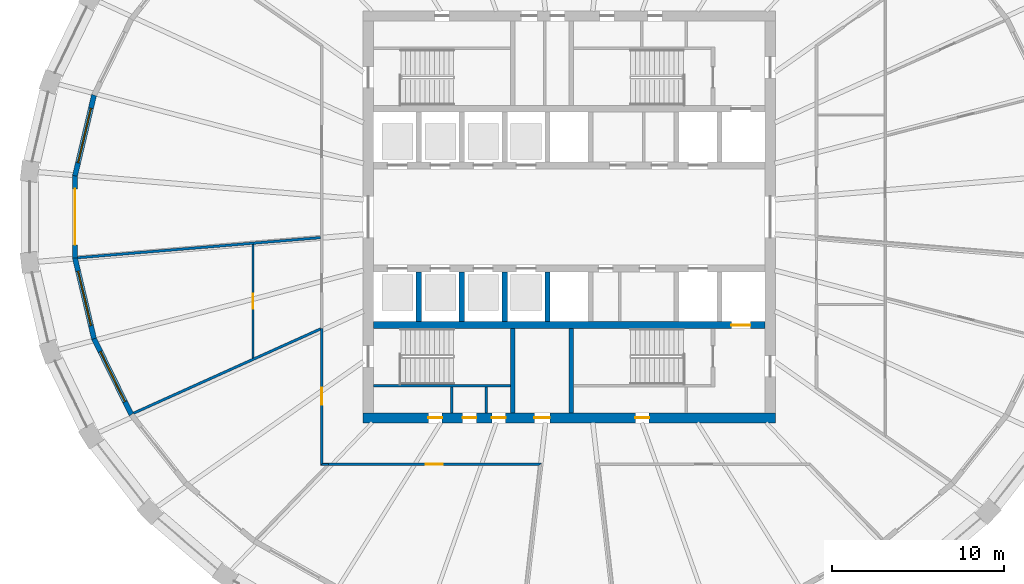
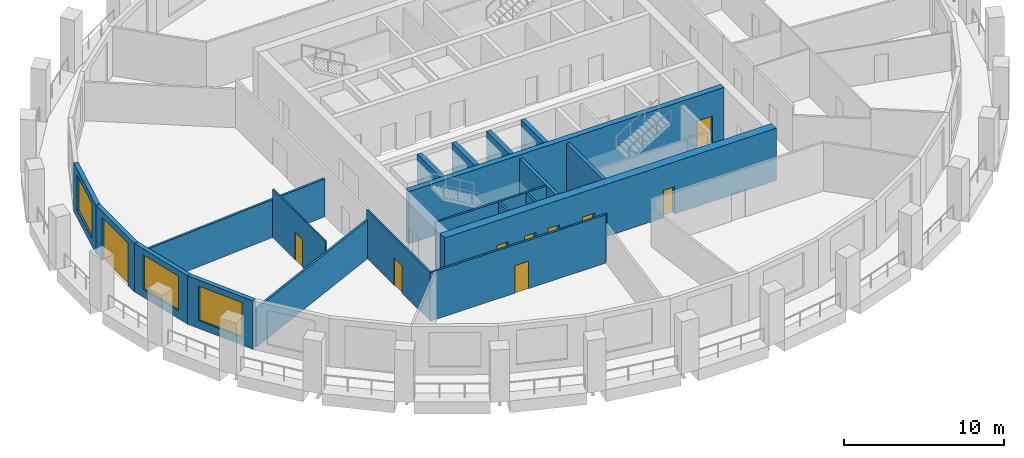
# One storey, part 3 of 11: 21 walls, 10 doors, 3 windows, 13 openings.
"""IFC4 building model written with IfcOpenShell, lengths in metres."""

from ifc_helpers import new_model, si_unit, direction, frame, frame_2d, origin, place, context, subcontext, project, spatial, polyline, rectangle, outline, extrude, material, layer, layer_set, type_object, element, fill, save


model = new_model("IFC4")

# Units and contexts
model_context = context("Model", 3, precision=1e-05, world=origin(), true_north=direction((0.0, 1.0)))
body_context = subcontext(model_context, "Body", "Model", "MODEL_VIEW")
ifc_project = project(units=[si_unit("LENGTHUNIT", "METRE"), si_unit("AREAUNIT", "SQUARE_METRE"), si_unit("VOLUMEUNIT", "CUBIC_METRE"), si_unit("PLANEANGLEUNIT", "RADIAN"), si_unit("MASSUNIT", "GRAM", prefix="KILO")], contexts=[model_context])

# Site, building, storey
site_placement = place(None, origin())
site = spatial("IfcSite", under=ifc_project, at=site_placement, CompositionType="ELEMENT")
building_placement = place(site_placement, origin())
building = spatial("IfcBuilding", under=site, at=building_placement, Name="Halqa Exchange Tower", CompositionType="ELEMENT")
storey_placement = place(building_placement, frame((0.0, 0.0, 226.89990234375)))
storey = spatial("IfcBuildingStorey", under=building, at=storey_placement, Name="L52", CompositionType="ELEMENT", Elevation=226.89990234375)

# Walls
ifc_material_1 = material(Name="Fire-rated gypsum board")
ifc_layer_1 = layer(ifc_material_1, 0.14990234375)
ifc_layer_set_1 = layer_set([ifc_layer_1], Name="Fire-rated gypsum board")
wall_type_1 = type_object("IfcWallType", Name="Fire partition EI 60 150", PredefinedType="PARTITIONING", material=ifc_layer_set_1)
wall_1_placement = place(storey_placement, frame((-28.607666015625, -2.375, 0.0), z_axis=(0.0, 0.0, 1.0), x_axis=(0.996598135394, 0.082414540768, 0.0)))
element("IfcWall", 1, at=wall_1_placement, inside=storey, type_object=wall_type_1, Name="L52-PWL-001", PredefinedType="PARTITIONING", context=body_context, shape_type="SweptSolid", body=[
    extrude(outline(polyline([(0.004638671875, -0.074951171875), (1.701416015625, -0.074951171875), (3.3984375, -0.074951171875), (5.095458984375, -0.074951171875), (6.792236328125, -0.074951171875), (8.4892578125, -0.074951171875), (10.18603515625, -0.074951171875), (10.186279296875, -0.07470703125), (10.188720703125, -0.074951171875), (12.181640625, -0.074951171875), (14.1748046875, -0.074951171875), (14.186767578125, 0.07080078125), (14.186767578125, 0.074951171875), (12.413330078125, 0.074951171875), (10.64013671875, 0.074951171875), (8.86669921875, 0.074951171875), (7.09326171875, 0.074951171875), (5.320068359375, 0.074951171875), (3.546630859375, 0.074951171875), (1.7734375, 0.074951171875), (0.0, 0.074951171875), (0.0, -0.04443359375), (0.004638671875, -0.074951171875)])), origin(), (0.0, 0.0, 1.0), 2.900146484375),
])
wall_2_placement = place(storey_placement, frame((-25.360107421875, -11.428466796875, 0.0), z_axis=(0.0, 0.0, 1.0), x_axis=(0.911719171836, 0.410814011089, 0.0)))
element("IfcWall", 2, at=wall_2_placement, inside=storey, type_object=wall_type_1, Name="L52-PWL-002", PredefinedType="PARTITIONING", context=body_context, shape_type="SweptSolid", body=[
    extrude(outline(polyline([(0.0205078125, -0.074951171875), (2.004150390625, -0.074951171875), (3.98779296875, -0.074951171875), (5.97119140625, -0.074951171875), (7.954833984375, -0.074951171875), (9.938232421875, -0.074951171875), (11.921875, -0.074951171875), (11.966552734375, 0.024658203125), (11.952880859375, 0.03076171875), (11.972412109375, 0.073974609375), (11.972412109375, 0.074951171875), (10.555908203125, 0.074951171875), (9.13916015625, 0.074951171875), (7.72265625, 0.074951171875), (7.7216796875, 0.07275390625), (7.716796875, 0.074951171875), (5.78759765625, 0.074951171875), (3.8583984375, 0.074951171875), (1.92919921875, 0.074951171875), (0.0, 0.074951171875), (0.0, 0.062744140625), (0.002197265625, -0.001708984375), (0.0205078125, -0.074951171875)])), origin(), (0.0, 0.0, 1.0), 2.947021484375),
])

# Wall, opening, door
wall_3_placement = place(storey_placement, frame((-1.595703125, -14.39990234375, 0.0), z_axis=(0.0, 0.0, 1.0), x_axis=(-1.0, 0.0, 0.0)))
wall_3 = element("IfcWall", 3, at=wall_3_placement, inside=storey, type_object=wall_type_1, Name="L52-PWL-012", PredefinedType="PARTITIONING", context=body_context, shape_type="SweptSolid", body=[
    extrude(outline(polyline([(12.414306640625, 0.074951171875), (10.664794921875, 0.074951171875), (8.91552734375, 0.074951171875), (7.166015625, 0.074951171875), (5.416748046875, 0.074951171875), (3.667236328125, 0.074951171875), (1.917724609375, 0.074951171875), (0.16845703125, 0.074951171875), (0.0, -0.074951171875), (0.0, -0.074951171875), (1.7734375, -0.074951171875), (3.546875, -0.074951171875), (5.3203125, -0.074951171875), (7.093994140625, -0.074951171875), (8.867431640625, -0.074951171875), (10.640869140625, -0.074951171875), (12.414306640625, -0.074951171875), (12.414306640625, 0.074951171875)])), origin(), (0.0, 0.0, 1.0), 3.7001953125),
])
opening_1_placement = place(wall_3_placement, frame((5.749267578125, 0.0, 0.0)))
opening_1 = element("IfcOpeningElement", 4, at=opening_1_placement, cuts=wall_3, Name="Opening 16-05", PredefinedType="OPENING", context=body_context, shape_type="SweptSolid", body=[
    extrude(rectangle(XDim=1.0, YDim=2.10009765625, at=frame_2d((0.5, 1.050048828125))), frame((0.0, 0.0869140625, 0.0), z_axis=(0.0, -1.0, 0.0), x_axis=(1.0, 0.0, 0.0)), (0.0, 0.0, 1.0), 0.173828125),
])
ifc_material_2 = material(Name="Steel fire door leaf", Category="steel")
door_type_1 = type_object("IfcDoorType", Name="Fire door FD30S 1000 x 2100", OperationType="SINGLE_SWING_LEFT", PredefinedType="DOOR", material=ifc_material_2)
door_1_placement = place(opening_1_placement, origin())
door_1 = element("IfcDoor", 5, at=door_1_placement, inside=storey, type_object=door_type_1, Name="L52-IDR-005", OperationType="SINGLE_SWING_LEFT", OverallHeight=2.10009765625, OverallWidth=1.0, PredefinedType="DOOR", context=body_context, shape_type="SweptSolid", body=[
    extrude(rectangle(XDim=1.0, YDim=2.10009765625, at=frame_2d((0.5, 1.050048828125))), frame((0.0, 0.02490234375, 0.0), z_axis=(0.0, -1.0, 0.0), x_axis=(1.0, 0.0, 0.0)), (0.0, 0.0, 1.0), 0.050048828125),
])
fill(opening_1, door_1)

ifc_material_3 = material(Name="Fire-rated glazing", Category="glass")
ifc_layer_2 = layer(ifc_material_3, 0.1201171875)
ifc_layer_set_2 = layer_set([ifc_layer_2], Name="Fire-rated glazing")
wall_type_2 = type_object("IfcWallType", Name="Glazed fire partition EI 60 120", PredefinedType="PARTITIONING", material=ifc_layer_set_2)
wall_4_placement = place(storey_placement, frame((-14.39990234375, -14.4599609375, 0.0), z_axis=(0.0, 0.0, 1.0), x_axis=(0.0, 1.0, 0.0)))
wall_4 = element("IfcWall", 6, at=wall_4_placement, inside=storey, type_object=wall_type_2, Name="L52-PWL-005", PredefinedType="PARTITIONING", context=body_context, shape_type="SweptSolid", body=[
    extrude(outline(polyline([(7.969970703125, 0.06005859375), (5.9775390625, 0.06005859375), (3.98486328125, 0.06005859375), (1.992431640625, 0.06005859375), (0.0, 0.06005859375), (0.1201171875, -0.06005859375), (2.08251953125, -0.06005859375), (4.044921875, -0.06005859375), (6.007568359375, -0.06005859375), (7.969970703125, -0.06005859375), (7.969970703125, 0.06005859375)])), origin(), (0.0, 0.0, 1.0), 3.7001953125),
])
opening_2_placement = place(wall_4_placement, frame((3.514892578125, 0.0, 0.0)))
opening_2 = element("IfcOpeningElement", 7, at=opening_2_placement, cuts=wall_4, Name="Opening 16-04", PredefinedType="OPENING", context=body_context, shape_type="SweptSolid", body=[
    extrude(rectangle(XDim=1.0, YDim=2.10009765625, at=frame_2d((0.5, 1.050048828125))), frame((0.0, 0.072021484375, 0.0), z_axis=(0.0, -1.0, 0.0), x_axis=(1.0, 0.0, 0.0)), (0.0, 0.0, 1.0), 0.14404296875),
])
door_2_placement = place(opening_2_placement, origin())
door_2 = element("IfcDoor", 8, at=door_2_placement, inside=storey, type_object=door_type_1, Name="L52-IDR-004", OperationType="SINGLE_SWING_LEFT", OverallHeight=2.10009765625, OverallWidth=1.0, PredefinedType="DOOR", context=body_context, shape_type="SweptSolid", body=[
    extrude(rectangle(XDim=1.0, YDim=2.10009765625, at=frame_2d((0.5, 1.050048828125))), frame((0.0, 0.02490234375, 0.0), z_axis=(0.0, -1.0, 0.0), x_axis=(1.0, 0.0, 0.0)), (0.0, 0.0, 1.0), 0.050048828125),
])
fill(opening_2, door_2)

# Wall
wall_5_placement = place(storey_placement, frame((-14.010009765625, -14.39990234375, 0.0), z_axis=(0.0, 0.0, 1.0), x_axis=(-1.0, 0.0, 0.0)))
element("IfcWall", 9, at=wall_5_placement, inside=storey, type_object=wall_type_2, Name="L52-PWL-009", PredefinedType="PARTITIONING", context=body_context, shape_type="SweptSolid", body=[
    extrude(outline(polyline([(0.0, -0.06005859375), (0.329833984375, -0.06005859375), (0.449951171875, 0.06005859375), (0.0, 0.06005859375), (0.0, -0.06005859375)])), origin(), (0.0, 0.0, 1.0), 3.7001953125),
])

# Wall, opening, door
ifc_material_4 = material(Name="Gypsum board")
ifc_layer_3 = layer(ifc_material_4, 0.10009765625)
ifc_layer_set_3 = layer_set([ifc_layer_3], Name="Gypsum board")
wall_type_3 = type_object("IfcWallType", Name="Partition 100 gypsum", PredefinedType="PARTITIONING", material=ifc_layer_set_3)
wall_6_placement = place(storey_placement, frame((-18.39990234375, -8.232421875, 0.0), z_axis=(0.0, 0.0, 1.0), x_axis=(0.0, 1.0, 0.0)))
wall_6 = element("IfcWall", 10, at=wall_6_placement, inside=storey, type_object=wall_type_3, Name="L52-PWL-003", PredefinedType="PARTITIONING", context=body_context, shape_type="SweptSolid", body=[
    extrude(outline(polyline([(6.63037109375, -0.050048828125), (6.63037109375, -0.04833984375), (6.622314453125, 0.050048828125), (4.966796875, 0.050048828125), (3.31103515625, 0.050048828125), (1.655517578125, 0.050048828125), (0.0, 0.050048828125), (0.0, 0.0498046875), (0.044921875, -0.050048828125), (1.69140625, -0.050048828125), (3.337646484375, -0.050048828125), (4.984130859375, -0.050048828125), (6.63037109375, -0.050048828125)])), origin(), (0.0, 0.0, 1.0), 3.7001953125),
])
opening_3_placement = place(wall_6_placement, frame((2.87255859375, 0.0, 0.0)))
opening_3 = element("IfcOpeningElement", 11, at=opening_3_placement, cuts=wall_6, Name="Opening 16-11", PredefinedType="OPENING", context=body_context, shape_type="SweptSolid", body=[
    extrude(rectangle(XDim=0.89990234375, YDim=2.10009765625, at=frame_2d((0.449951171875, 1.050048828125))), frame((0.0, 0.06201171875, 0.0), z_axis=(0.0, -1.0, 0.0), x_axis=(1.0, 0.0, 0.0)), (0.0, 0.0, 1.0), 0.1240234375),
])
ifc_material_5 = material(Name="Timber door leaf", Category="wood")
door_type_2 = type_object("IfcDoorType", Name="Door 900 x 2100", OperationType="SINGLE_SWING_LEFT", PredefinedType="DOOR", material=ifc_material_5)
door_3_placement = place(opening_3_placement, frame((0.89990234375, 0.0, 0.0), z_axis=(0.0, 0.0, 1.0), x_axis=(-1.0, 0.0, 0.0)))
door_3 = element("IfcDoor", 12, at=door_3_placement, inside=storey, type_object=door_type_2, Name="L52-IDR-011", OperationType="SINGLE_SWING_RIGHT", OverallHeight=2.10009765625, OverallWidth=0.89990234375, PredefinedType="DOOR", context=body_context, shape_type="SweptSolid", body=[
    extrude(rectangle(XDim=0.89990234375, YDim=2.10009765625, at=frame_2d((0.449951171875, 1.050048828125))), frame((0.0, 0.02490234375, 0.0), z_axis=(0.0, -1.0, 0.0), x_axis=(1.0, 0.0, 0.0)), (0.0, 0.0, 1.0), 0.050048828125),
])
fill(opening_3, door_3)

# Walls
ifc_layer_4 = layer(ifc_material_4, 0.14990234375)
ifc_layer_set_4 = layer_set([ifc_layer_4], Name="Gypsum board")
wall_type_4 = type_object("IfcWallType", Name="Penthouse riser wall 150 gypsum", PredefinedType="PARTITIONING", material=ifc_layer_set_4)
for number, where, z_axis, x_axis, name in (
    (13, (-6.824951171875, -11.39990234375, 0.0), (0.0, 0.0, 1.0), (0.0, 1.0, 0.0), "Partition W6.825 S"),
    (14, (-4.824951171875, -11.39990234375, 0.0), (0.0, 0.0, 1.0), (0.0, 1.0, 0.0), "Partition W4.825 S"),
):
    element("IfcWall", number, at=place(storey_placement, frame(where, z_axis=z_axis, x_axis=x_axis)), inside=storey, type_object=wall_type_4, Name=name, PredefinedType="PARTITIONING", context=body_context, shape_type="SweptSolid", body=[
        extrude(rectangle(XDim=1.5, YDim=0.14990234375, at=frame_2d((0.75, 0.0))), origin(), (0.0, 0.0, 1.0), 3.7001953125),
    ])
ifc_material_6 = material(Name="Concrete C60/75", Category="concrete")
ifc_layer_5 = layer(ifc_material_6, 0.300048828125)
ifc_layer_set_5 = layer_set([ifc_layer_5], Name="Concrete C60/75")
wall_type_5 = type_object("IfcWallType", Name="RC core wall 300", PredefinedType="SHEAR", material=ifc_layer_set_5)
for number, where, z_axis, x_axis, name in (
    (15, (-8.75, -6.10009765625, 0.0), (0.0, 0.0, 1.0), (0.0, 1.0, 0.0), "Shaft divider S1"),
    (16, (-6.25, -6.10009765625, 0.0), (0.0, 0.0, 1.0), (0.0, 1.0, 0.0), "Shaft divider S2"),
    (17, (-3.75, -6.10009765625, 0.0), (0.0, 0.0, 1.0), (0.0, 1.0, 0.0), "Shaft divider S3"),
    (18, (-1.25, -6.10009765625, 0.0), (0.0, 0.0, 1.0), (0.0, 1.0, 0.0), "Shaft divider S4"),
):
    element("IfcWall", number, at=place(storey_placement, frame(where, z_axis=z_axis, x_axis=x_axis)), inside=storey, type_object=wall_type_5, Name=name, PredefinedType="SHEAR", context=body_context, shape_type="SweptSolid", body=[
        extrude(rectangle(XDim=2.900146484375, YDim=0.300048828125, at=frame_2d((1.4501953125, 0.0))), origin(), (0.0, 0.0, 1.0), 4.0),
    ])

# Wall, opening, door
ifc_material_7 = material(Name="Concrete C70/85", Category="concrete")
ifc_layer_6 = layer(ifc_material_7, 0.39990234375)
ifc_layer_set_6 = layer_set([ifc_layer_6], Name="Concrete C70/85")
wall_type_6 = type_object("IfcWallType", Name="RC core wall 400 C70/85", PredefinedType="SHEAR", material=ifc_layer_set_6)
wall_7_placement = place(storey_placement, frame((-11.39990234375, -6.300048828125, 0.0), z_axis=(0.0, 0.0, 1.0), x_axis=(1.0, 0.0, 0.0)))
wall_7 = element("IfcWall", 19, at=wall_7_placement, inside=storey, type_object=wall_type_6, Name="Lift row back wall S", PredefinedType="SHEAR", context=body_context, shape_type="SweptSolid", body=[
    extrude(rectangle(XDim=22.7998046875, YDim=0.39990234375, at=frame_2d((11.39990234375, 0.0))), origin(), (0.0, 0.0, 1.0), 4.0),
])
opening_4_placement = place(wall_7_placement, frame((20.85009765625, 0.0, 0.0)))
opening_4 = element("IfcOpeningElement", 20, at=opening_4_placement, cuts=wall_7, Name="Opening LD-FF2-T16", PredefinedType="OPENING", context=body_context, shape_type="SweptSolid", body=[
    extrude(rectangle(XDim=1.10009765625, YDim=2.10009765625, at=frame_2d((0.550048828125, 1.050048828125))), frame((0.0, 0.2119140625, 0.0), z_axis=(0.0, -1.0, 0.0), x_axis=(1.0, 0.0, 0.0)), (0.0, 0.0, 1.0), 0.423828125),
])
ifc_material_8 = material(Name="Stainless steel", Category="steel")
door_type_3 = type_object("IfcDoorType", Name="Lift landing door 1100 x 2100", OperationType="SLIDING_TO_LEFT", PredefinedType="DOOR", material=ifc_material_8)
door_4_placement = place(opening_4_placement, origin())
door_4 = element("IfcDoor", 21, at=door_4_placement, inside=storey, type_object=door_type_3, Name="Lift landing door FF2", OperationType="SLIDING_TO_LEFT", OverallHeight=2.10009765625, OverallWidth=1.10009765625, PredefinedType="DOOR", context=body_context, shape_type="SweptSolid", body=[
    extrude(rectangle(XDim=1.10009765625, YDim=2.10009765625, at=frame_2d((0.550048828125, 1.050048828125))), frame((0.0, 0.02490234375, 0.0), z_axis=(0.0, -1.0, 0.0), x_axis=(1.0, 0.0, 0.0)), (0.0, 0.0, 1.0), 0.050048828125),
])
fill(opening_4, door_4)

# Wall, openings, doors
ifc_layer_7 = layer(ifc_material_7, 0.60009765625)
ifc_layer_set_7 = layer_set([ifc_layer_7], Name="Concrete C70/85")
wall_type_7 = type_object("IfcWallType", Name="RC core wall 600 C70/85", PredefinedType="SHEAR", material=ifc_layer_set_7)
wall_8_placement = place(storey_placement, frame((-12.0, -11.699951171875, 0.0), z_axis=(0.0, 0.0, 1.0), x_axis=(1.0, 0.0, 0.0)))
wall_8 = element("IfcWall", 22, at=wall_8_placement, inside=storey, type_object=wall_type_7, Name="Core wall south", PredefinedType="SHEAR", context=body_context, shape_type="SweptSolid", body=[
    extrude(rectangle(XDim=24.0, YDim=0.60009765625, at=frame_2d((12.0, 0.0))), origin(), (0.0, 0.0, 1.0), 4.0),
])
opening_5_placement = place(wall_8_placement, frame((9.97509765625, 0.0, 0.0)))
opening_5 = element("IfcOpeningElement", 23, at=opening_5_placement, cuts=wall_8, Name="Opening T16-C26", PredefinedType="OPENING", context=body_context, shape_type="SweptSolid", body=[
    extrude(rectangle(XDim=0.89990234375, YDim=2.10009765625, at=frame_2d((0.449951171875, 1.050048828125))), frame((0.0, 0.31201171875, 0.0), z_axis=(0.0, -1.0, 0.0), x_axis=(1.0, 0.0, 0.0)), (0.0, 0.0, 1.0), 0.6240234375),
])
opening_6_placement = place(wall_8_placement, frame((3.800048828125, 0.0, 0.0)))
opening_6 = element("IfcOpeningElement", 24, at=opening_6_placement, cuts=wall_8, Name="Opening T16-C27", PredefinedType="OPENING", context=body_context, shape_type="SweptSolid", body=[
    extrude(rectangle(XDim=0.800048828125, YDim=2.10009765625, at=frame_2d((0.39990234375, 1.050048828125))), frame((0.0, 0.31201171875, 0.0), z_axis=(0.0, -1.0, 0.0), x_axis=(1.0, 0.0, 0.0)), (0.0, 0.0, 1.0), 0.6240234375),
])
opening_7_placement = place(wall_8_placement, frame((5.800048828125, 0.0, 0.0)))
opening_7 = element("IfcOpeningElement", 25, at=opening_7_placement, cuts=wall_8, Name="Opening T16-C28", PredefinedType="OPENING", context=body_context, shape_type="SweptSolid", body=[
    extrude(rectangle(XDim=0.800048828125, YDim=2.10009765625, at=frame_2d((0.39990234375, 1.050048828125))), frame((0.0, 0.31201171875, 0.0), z_axis=(0.0, -1.0, 0.0), x_axis=(1.0, 0.0, 0.0)), (0.0, 0.0, 1.0), 0.6240234375),
])
opening_8_placement = place(wall_8_placement, frame((7.5, 0.0, 0.0)))
opening_8 = element("IfcOpeningElement", 26, at=opening_8_placement, cuts=wall_8, Name="Opening T16-C29", PredefinedType="OPENING", context=body_context, shape_type="SweptSolid", body=[
    extrude(rectangle(XDim=0.800048828125, YDim=2.10009765625, at=frame_2d((0.39990234375, 1.050048828125))), frame((0.0, 0.31201171875, 0.0), z_axis=(0.0, -1.0, 0.0), x_axis=(1.0, 0.0, 0.0)), (0.0, 0.0, 1.0), 0.6240234375),
])
opening_9_placement = place(wall_8_placement, frame((15.85009765625, 0.0, 0.0)))
opening_9 = element("IfcOpeningElement", 27, at=opening_9_placement, cuts=wall_8, Name="Opening T16-C30", PredefinedType="OPENING", context=body_context, shape_type="SweptSolid", body=[
    extrude(rectangle(XDim=0.800048828125, YDim=2.10009765625, at=frame_2d((0.39990234375, 1.050048828125))), frame((0.0, 0.31201171875, 0.0), z_axis=(0.0, -1.0, 0.0), x_axis=(1.0, 0.0, 0.0)), (0.0, 0.0, 1.0), 0.6240234375),
])
ifc_material_9 = material(Name="Timber fire door leaf", Category="wood")
door_type_4 = type_object("IfcDoorType", Name="Core room door FD30 900 x 2100", OperationType="SINGLE_SWING_LEFT", PredefinedType="DOOR", material=ifc_material_9)
door_5_placement = place(opening_5_placement, origin())
door_5 = element("IfcDoor", 28, at=door_5_placement, inside=storey, type_object=door_type_4, Name="Core room door", OperationType="SINGLE_SWING_RIGHT", OverallHeight=2.10009765625, OverallWidth=0.89990234375, PredefinedType="DOOR", context=body_context, shape_type="SweptSolid", body=[
    extrude(rectangle(XDim=0.89990234375, YDim=2.10009765625, at=frame_2d((0.449951171875, 1.050048828125))), frame((0.0, 0.02490234375, 0.0), z_axis=(0.0, -1.0, 0.0), x_axis=(1.0, 0.0, 0.0)), (0.0, 0.0, 1.0), 0.050048828125),
])
fill(opening_5, door_5)
door_type_5 = type_object("IfcDoorType", Name="Riser door FD60 800 x 2100", OperationType="SINGLE_SWING_LEFT", PredefinedType="DOOR", material=ifc_material_2)
door_6_placement = place(opening_6_placement, origin())
door_6 = element("IfcDoor", 29, at=door_6_placement, inside=storey, type_object=door_type_5, Name="Core room door", OperationType="SINGLE_SWING_LEFT", OverallHeight=2.10009765625, OverallWidth=0.800048828125, PredefinedType="DOOR", context=body_context, shape_type="SweptSolid", body=[
    extrude(rectangle(XDim=0.800048828125, YDim=2.10009765625, at=frame_2d((0.39990234375, 1.050048828125))), frame((0.0, 0.02490234375, 0.0), z_axis=(0.0, -1.0, 0.0), x_axis=(1.0, 0.0, 0.0)), (0.0, 0.0, 1.0), 0.050048828125),
])
fill(opening_6, door_6)
door_7_placement = place(opening_7_placement, origin())
door_7 = element("IfcDoor", 30, at=door_7_placement, inside=storey, type_object=door_type_5, Name="Core room door", OperationType="SINGLE_SWING_LEFT", OverallHeight=2.10009765625, OverallWidth=0.800048828125, PredefinedType="DOOR", context=body_context, shape_type="SweptSolid", body=[
    extrude(rectangle(XDim=0.800048828125, YDim=2.10009765625, at=frame_2d((0.39990234375, 1.050048828125))), frame((0.0, 0.02490234375, 0.0), z_axis=(0.0, -1.0, 0.0), x_axis=(1.0, 0.0, 0.0)), (0.0, 0.0, 1.0), 0.050048828125),
])
fill(opening_7, door_7)
door_8_placement = place(opening_8_placement, origin())
door_8 = element("IfcDoor", 31, at=door_8_placement, inside=storey, type_object=door_type_5, Name="Core room door", OperationType="SINGLE_SWING_LEFT", OverallHeight=2.10009765625, OverallWidth=0.800048828125, PredefinedType="DOOR", context=body_context, shape_type="SweptSolid", body=[
    extrude(rectangle(XDim=0.800048828125, YDim=2.10009765625, at=frame_2d((0.39990234375, 1.050048828125))), frame((0.0, 0.02490234375, 0.0), z_axis=(0.0, -1.0, 0.0), x_axis=(1.0, 0.0, 0.0)), (0.0, 0.0, 1.0), 0.050048828125),
])
fill(opening_8, door_8)
door_9_placement = place(opening_9_placement, origin())
door_9 = element("IfcDoor", 32, at=door_9_placement, inside=storey, type_object=door_type_5, Name="Core room door", OperationType="SINGLE_SWING_LEFT", OverallHeight=2.10009765625, OverallWidth=0.800048828125, PredefinedType="DOOR", context=body_context, shape_type="SweptSolid", body=[
    extrude(rectangle(XDim=0.800048828125, YDim=2.10009765625, at=frame_2d((0.39990234375, 1.050048828125))), frame((0.0, 0.02490234375, 0.0), z_axis=(0.0, -1.0, 0.0), x_axis=(1.0, 0.0, 0.0)), (0.0, 0.0, 1.0), 0.050048828125),
])
fill(opening_9, door_9)

# Walls
ifc_material_10 = material(Name="Concrete C30/37", Category="concrete")
ifc_layer_8 = layer(ifc_material_10, 0.14990234375)
ifc_layer_set_8 = layer_set([ifc_layer_8], Name="Concrete C30/37")
wall_type_8 = type_object("IfcWallType", Name="RC stair wall 150 C30/37", PredefinedType="SHEAR", material=ifc_layer_set_8)
wall_9_placement = place(storey_placement, frame((-11.39990234375, -9.824951171875, 0.0), z_axis=(0.0, 0.0, 1.0), x_axis=(1.0, 0.0, 0.0)))
element("IfcWall", 33, at=wall_9_placement, inside=storey, type_object=wall_type_8, Name="Stair ST1 north wall S", PredefinedType="SHEAR", context=body_context, shape_type="SweptSolid", body=[
    extrude(rectangle(XDim=8.0, YDim=0.14990234375, at=frame_2d((4.0, 0.0))), origin(), (0.0, 0.0, 1.0), 3.7001953125),
])
ifc_layer_9 = layer(ifc_material_10, 0.25)
ifc_layer_set_9 = layer_set([ifc_layer_9], Name="Concrete C30/37")
wall_type_9 = type_object("IfcWallType", Name="RC stair wall 250 C30/37", PredefinedType="SHEAR", material=ifc_layer_set_9)
for number, where, z_axis, x_axis, name in (
    (34, (-3.27490234375, -11.39990234375, 0.0), (0.0, 0.0, 1.0), (0.0, 1.0, 0.0), "Stair ST1 east wall S"),
    (35, (0.125, -11.39990234375, 0.0), (0.0, 0.0, 1.0), (0.0, 1.0, 0.0), "Stair ST2 west wall S"),
):
    element("IfcWall", number, at=place(storey_placement, frame(where, z_axis=z_axis, x_axis=x_axis)), inside=storey, type_object=wall_type_9, Name=name, PredefinedType="SHEAR", context=body_context, shape_type="SweptSolid", body=[
        extrude(rectangle(XDim=4.89990234375, YDim=0.25, at=frame_2d((2.449951171875, 0.0))), origin(), (0.0, 0.0, 1.0), 3.7001953125),
    ])

# Wall, opening, window
ifc_material_11 = material(Name="Limestone cladding", Category="masonry")
ifc_layer_10 = layer(ifc_material_11, 0.0400390625)
ifc_material_12 = material(Name="Ventilated cavity")
ifc_layer_11 = layer(ifc_material_12, 0.030029296875, ventilated=True)
ifc_material_13 = material(Name="Mineral wool insulation")
ifc_layer_12 = layer(ifc_material_13, 0.10009765625)
ifc_layer_13 = layer(ifc_material_10, 0.10009765625)
ifc_material_14 = material(Name="Internal plaster")
ifc_layer_14 = layer(ifc_material_14, 0.030029296875)
ifc_layer_set_10 = layer_set([ifc_layer_10, ifc_layer_11, ifc_layer_12, ifc_layer_13, ifc_layer_14], Name="Stone-faced insulated wall 300")
wall_type_10 = type_object("IfcWallType", Name="Stone-faced insulated wall 300", PredefinedType="STANDARD", material=ifc_layer_set_10)
wall_10_placement = place(storey_placement, frame((-27.656494140625, 7.0888671875, 0.0), z_axis=(0.0, 0.0, 1.0), x_axis=(-0.229617574796, -0.97328093033, 0.0)))
wall_10 = element("IfcWall", 36, at=wall_10_placement, inside=storey, type_object=wall_type_10, Name="Glass-line wall 15", PredefinedType="STANDARD", context=body_context, shape_type="SweptSolid", body=[
    extrude(outline(polyline([(-0.016845703125, -0.14990234375), (4.84130859375, -0.14990234375), (4.806640625, 0.14990234375), (0.016845703125, 0.14990234375), (-0.016845703125, -0.14990234375)])), origin(), (0.0, 0.0, 1.0), 3.7001953125),
])
opening_10_placement = place(wall_10_placement, frame((0.786865234375, 0.0, 0.60009765625)))
opening_10 = element("IfcOpeningElement", 37, at=opening_10_placement, cuts=wall_10, Name="Opening W-F3-15", PredefinedType="OPENING", context=body_context, shape_type="SweptSolid", body=[
    extrude(rectangle(XDim=3.25, YDim=2.64990234375, at=frame_2d((1.625, 1.324951171875))), frame((0.0, 0.162109375, 0.0), z_axis=(0.0, -1.0, 0.0), x_axis=(1.0, 0.0, 0.0)), (0.0, 0.0, 1.0), 0.323974609375),
])
ifc_material_15 = material(Name="Clear low-emissivity glass in aluminium frame", Category="aluminium")
window_type = type_object("IfcWindowType", Name="Fixed clear glazed window 3250 x 2650", PartitioningType="TRIPLE_PANEL_VERTICAL", PredefinedType="WINDOW", material=ifc_material_15)
window_1_placement = place(opening_10_placement, origin())
window_1 = element("IfcWindow", 38, at=window_1_placement, inside=storey, type_object=window_type, Name="Window 3", OverallHeight=2.64990234375, OverallWidth=3.25, PartitioningType="TRIPLE_PANEL_VERTICAL", PredefinedType="WINDOW", context=body_context, shape_type="SweptSolid", body=[
    extrude(rectangle(XDim=3.25, YDim=2.64990234375, at=frame_2d((1.625, 1.324951171875))), frame((0.0, 0.030029296875, 0.0), z_axis=(0.0, -1.0, 0.0), x_axis=(1.0, 0.0, 0.0)), (0.0, 0.0, 1.0), 0.06005859375),
])
fill(opening_10, window_1)

# Wall, opening, door
wall_11_placement = place(storey_placement, frame((-28.76416015625, 2.393798828125, 0.0), z_axis=(0.0, 0.0, 1.0), x_axis=(0.0, -1.0, 0.0)))
wall_11 = element("IfcWall", 39, at=wall_11_placement, inside=storey, type_object=wall_type_10, Name="Glass-line wall 16", PredefinedType="STANDARD", context=body_context, shape_type="SweptSolid", body=[
    extrude(outline(polyline([(-0.017333984375, -0.14990234375), (4.804931640625, -0.14990234375), (4.770263671875, 0.14990234375), (0.017333984375, 0.14990234375), (-0.017333984375, -0.14990234375)])), origin(), (0.0, 0.0, 1.0), 3.7001953125),
])
opening_11_placement = place(wall_11_placement, frame((0.768798828125, 0.0, 0.0)))
opening_11 = element("IfcOpeningElement", 40, at=opening_11_placement, cuts=wall_11, Name="Opening LG-F3-04", PredefinedType="OPENING", context=body_context, shape_type="SweptSolid", body=[
    extrude(rectangle(XDim=3.25, YDim=3.25, at=frame_2d((1.625, 1.625))), frame((0.0, 0.162109375, 0.0), z_axis=(0.0, -1.0, 0.0), x_axis=(1.0, 0.0, 0.0)), (0.0, 0.0, 1.0), 0.323974609375),
])
door_type_6 = type_object("IfcDoorType", Name="Glazed sliding loggia door 3250 x 3250", OperationType="DOUBLE_DOOR_SLIDING", PredefinedType="DOOR", material=ifc_material_15)
door_10_placement = place(opening_11_placement, origin())
door_10 = element("IfcDoor", 41, at=door_10_placement, inside=storey, type_object=door_type_6, Name="Loggia door 4", OperationType="DOUBLE_DOOR_SLIDING", OverallHeight=3.25, OverallWidth=3.25, PredefinedType="DOOR", context=body_context, shape_type="SweptSolid", body=[
    extrude(rectangle(XDim=3.25, YDim=3.25, at=frame_2d((1.625, 1.625))), frame((0.0, 0.02490234375, 0.0), z_axis=(0.0, -1.0, 0.0), x_axis=(1.0, 0.0, 0.0)), (0.0, 0.0, 1.0), 0.050048828125),
])
fill(opening_11, door_10)

# Wall, opening, window
wall_12_placement = place(storey_placement, frame((-28.76416015625, -2.393798828125, 0.0), z_axis=(0.0, 0.0, 1.0), x_axis=(0.229617574796, -0.97328093033, 0.0)))
wall_12 = element("IfcWall", 42, at=wall_12_placement, inside=storey, type_object=wall_type_10, Name="Glass-line wall 17", PredefinedType="STANDARD", context=body_context, shape_type="SweptSolid", body=[
    extrude(outline(polyline([(-0.017333984375, -0.14990234375), (4.8408203125, -0.14990234375), (4.80712890625, 0.14990234375), (0.017333984375, 0.14990234375), (-0.017333984375, -0.14990234375)])), origin(), (0.0, 0.0, 1.0), 3.7001953125),
])
opening_12_placement = place(wall_12_placement, frame((0.786865234375, 0.0, 0.60009765625)))
opening_12 = element("IfcOpeningElement", 43, at=opening_12_placement, cuts=wall_12, Name="Opening W-F3-17", PredefinedType="OPENING", context=body_context, shape_type="SweptSolid", body=[
    extrude(rectangle(XDim=3.25, YDim=2.64990234375, at=frame_2d((1.625, 1.324951171875))), frame((0.0, 0.162109375, 0.0), z_axis=(0.0, -1.0, 0.0), x_axis=(1.0, 0.0, 0.0)), (0.0, 0.0, 1.0), 0.323974609375),
])
window_2_placement = place(opening_12_placement, origin())
window_2 = element("IfcWindow", 44, at=window_2_placement, inside=storey, type_object=window_type, Name="Window 3", OverallHeight=2.64990234375, OverallWidth=3.25, PartitioningType="TRIPLE_PANEL_VERTICAL", PredefinedType="WINDOW", context=body_context, shape_type="SweptSolid", body=[
    extrude(rectangle(XDim=3.25, YDim=2.64990234375, at=frame_2d((1.625, 1.324951171875))), frame((0.0, 0.030029296875, 0.0), z_axis=(0.0, -1.0, 0.0), x_axis=(1.0, 0.0, 0.0)), (0.0, 0.0, 1.0), 0.06005859375),
])
fill(opening_12, window_2)

wall_13_placement = place(storey_placement, frame((-27.656494140625, -7.0888671875, 0.0), z_axis=(0.0, 0.0, 1.0), x_axis=(0.440857641837, -0.897577038272, 0.0)))
wall_13 = element("IfcWall", 45, at=wall_13_placement, inside=storey, type_object=wall_type_10, Name="Glass-line wall 18", PredefinedType="STANDARD", context=body_context, shape_type="SweptSolid", body=[
    extrude(outline(polyline([(-0.016845703125, -0.14990234375), (4.94140625, -0.14990234375), (4.9091796875, 0.14990234375), (0.016845703125, 0.14990234375), (-0.016845703125, -0.14990234375)])), origin(), (0.0, 0.0, 1.0), 3.7001953125),
])
opening_13_placement = place(wall_13_placement, frame((0.837646484375, 0.0, 0.60009765625)))
opening_13 = element("IfcOpeningElement", 46, at=opening_13_placement, cuts=wall_13, Name="Opening W-F3-18", PredefinedType="OPENING", context=body_context, shape_type="SweptSolid", body=[
    extrude(rectangle(XDim=3.25, YDim=2.64990234375, at=frame_2d((1.625, 1.324951171875))), frame((0.0, 0.162109375, 0.0), z_axis=(0.0, -1.0, 0.0), x_axis=(1.0, 0.0, 0.0)), (0.0, 0.0, 1.0), 0.323974609375),
])
window_3_placement = place(opening_13_placement, origin())
window_3 = element("IfcWindow", 47, at=window_3_placement, inside=storey, type_object=window_type, Name="Window 3", OverallHeight=2.64990234375, OverallWidth=3.25, PartitioningType="TRIPLE_PANEL_VERTICAL", PredefinedType="WINDOW", context=body_context, shape_type="SweptSolid", body=[
    extrude(rectangle(XDim=3.25, YDim=2.64990234375, at=frame_2d((1.625, 1.324951171875))), frame((0.0, 0.030029296875, 0.0), z_axis=(0.0, -1.0, 0.0), x_axis=(1.0, 0.0, 0.0)), (0.0, 0.0, 1.0), 0.06005859375),
])
fill(opening_13, window_3)

save(model, "model.ifc")
